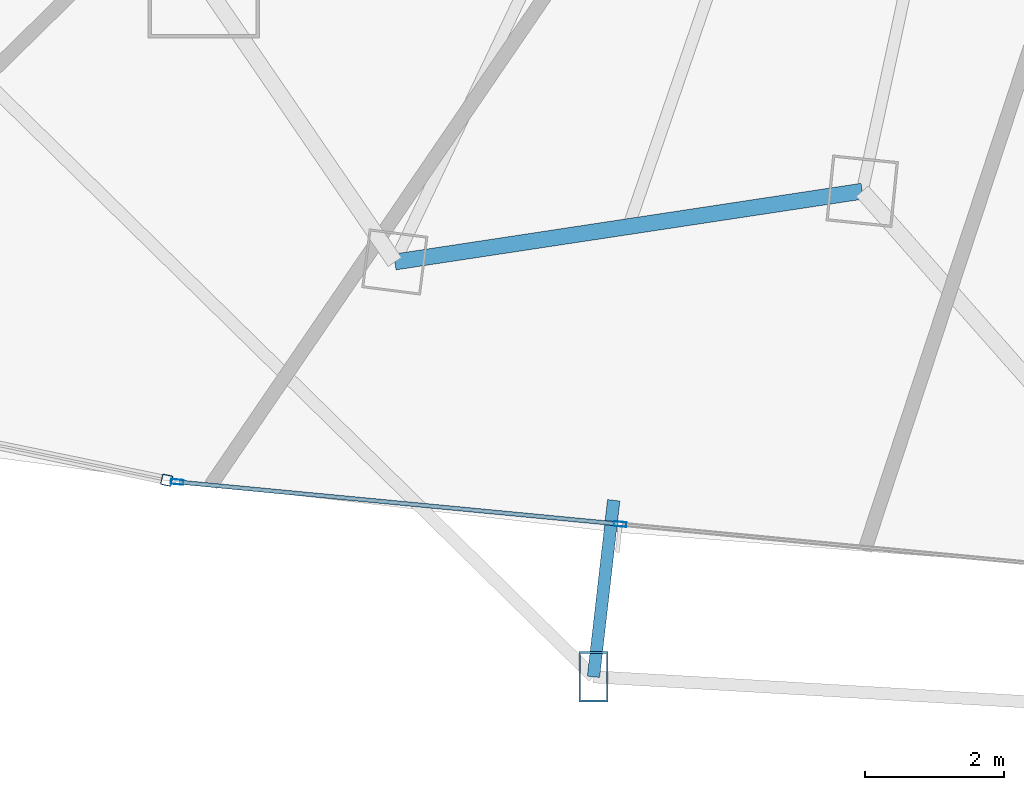
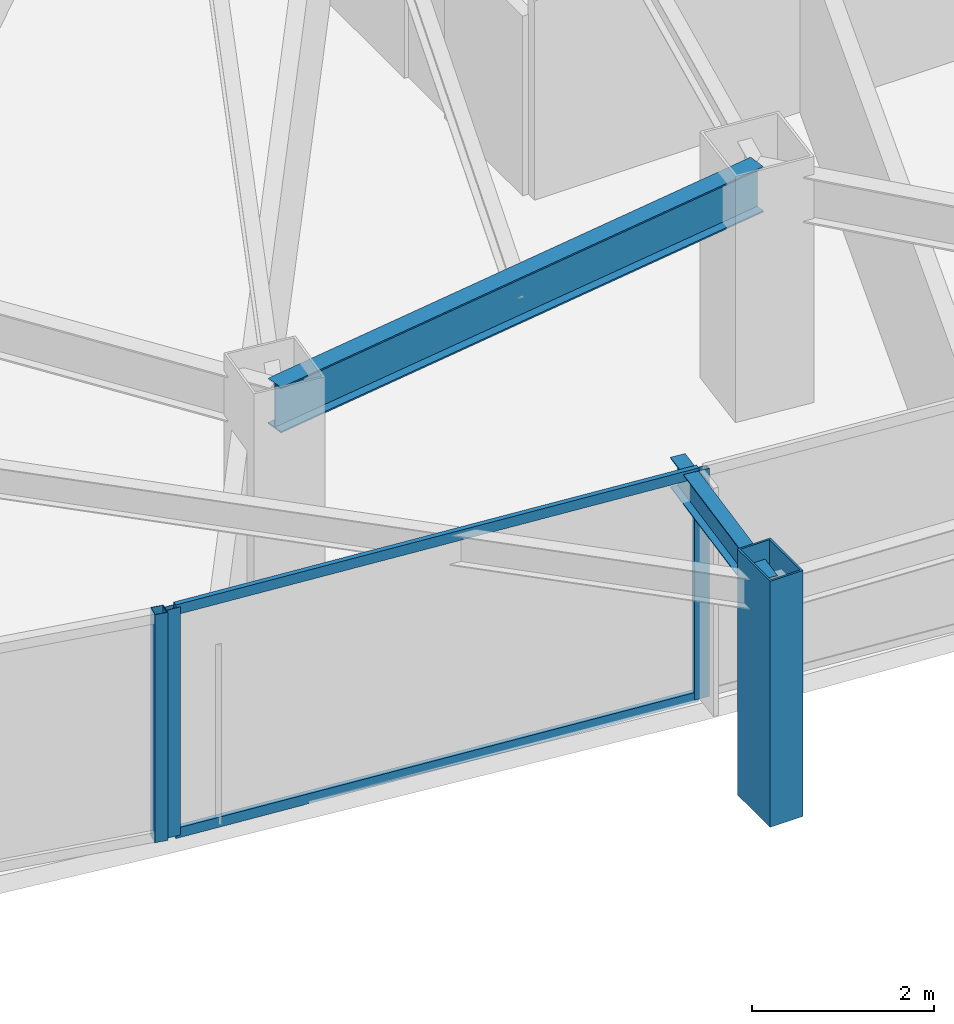
# One storey, part 4 of 34: 6 members, 2 beams, 2 elements without a shape of their own.
"""IFC4 building model written with IfcOpenShell, lengths in metres."""

from ifc_helpers import new_model, si_unit, direction, frame, origin, origin_2d, place, context, subcontext, project, spatial, hollow_rectangle, i_section, extrude, material, layer, layer_set, material_profile, profile_set, type_object, element, aggregate, save


model = new_model("IFC4")

# Units and contexts
model_context = context("Model", 3, precision=1e-05, world=origin(), true_north=direction((0.0, 1.0)))
body_context = subcontext(model_context, "Body", "Model", "MODEL_VIEW")
ifc_project = project(units=[si_unit("LENGTHUNIT", "METRE"), si_unit("AREAUNIT", "SQUARE_METRE"), si_unit("VOLUMEUNIT", "CUBIC_METRE"), si_unit("PLANEANGLEUNIT", "RADIAN"), si_unit("MASSUNIT", "GRAM", prefix="KILO")], contexts=[model_context])

# Site, building, storey
site_placement = place(None, origin())
site = spatial("IfcSite", under=ifc_project, at=site_placement, CompositionType="ELEMENT")
building_placement = place(site_placement, origin())
building = spatial("IfcBuilding", under=site, at=building_placement, Name="Orvanel Arch Residences", CompositionType="ELEMENT")
storey_placement = place(building_placement, frame((0.0, 0.0, 67.550048828125)))
storey = spatial("IfcBuildingStorey", under=building, at=storey_placement, Name="L18", CompositionType="ELEMENT", Elevation=67.550048828125)

# Member
ifc_material_1 = material(Name="Structural steel AS/NZS 3678 Grade 350", Category="steel")
ifc_material_profile_1 = material_profile(ifc_material_1, hollow_rectangle(XDim=0.419921875, YDim=0.719970703125, WallThickness=0.02490234375, at=origin_2d()), Name="RHS720x420x25")
ifc_profile_set_1 = profile_set([ifc_material_profile_1], Name="Structural steel AS/NZS 3678 Grade 350")
member_type_1 = type_object("IfcMemberType", Name="CH-720RHS-EXT", PredefinedType="CHORD", material=ifc_profile_set_1)
member_1_placement = place(storey_placement, frame((19.7919921875, 0.385986328125, 0.0), z_axis=(0.0, 0.0, 1.0), x_axis=(1.0, 0.0, 0.0)))
element("IfcMember", 1, at=member_1_placement, inside=storey, type_object=member_type_1, Name="L18 Outer Perimeter Frame Post 05", PredefinedType="CHORD", context=body_context, shape_type="SweptSolid", body=[
    extrude(hollow_rectangle(XDim=0.419921875, YDim=0.719970703125, WallThickness=0.02490234375, at=origin_2d()), origin(), (0.0, 0.0, 1.0), 3.300048828125),
])

# Curtain wall, member
ifc_material_2 = material(Name="Bronze-anodised aluminium AA6063-T6", Category="aluminium")
ifc_layer_1 = layer(ifc_material_2, 0.18994140625)
ifc_layer_set_1 = layer_set([ifc_layer_1], Name="Bronze-anodised aluminium AA6063-T6")
curtain_wall_type_1 = type_object("IfcCurtainWallType", Name="CW5-CRN-SYS", PredefinedType="NOTDEFINED", material=ifc_layer_set_1)
curtain_wall_1_placement = place(storey_placement, origin())
curtain_wall_1 = element("IfcCurtainWall", 2, at=curtain_wall_1_placement, inside=storey, type_object=curtain_wall_type_1, Name="L18 CW5-CRN-SYS Unitised Curtain Wall", PredefinedType="NOTDEFINED")
ifc_material_profile_2 = material_profile(ifc_material_2, hollow_rectangle(XDim=0.14990234375, YDim=0.14990234375, WallThickness=0.0048828125, at=origin_2d()), Name="ALU150x150x5")
ifc_profile_set_2 = profile_set([ifc_material_profile_2], Name="Bronze-anodised aluminium AA6063-T6")
member_type_2 = type_object("IfcMemberType", Name="MUL-150x150", PredefinedType="MULLION", material=ifc_profile_set_2)
member_2_placement = place(storey_placement, frame((13.66748046875, 3.207275390625, 0.0), z_axis=(0.0, 0.0, 1.0), x_axis=(0.202301523353, 0.979323283522, 0.0)))
member_2 = element("IfcMember", 3, at=member_2_placement, type_object=member_type_2, Name="CW-S5 mullion 3", PredefinedType="MULLION", context=body_context, shape_type="SweptSolid", body=[
    extrude(hollow_rectangle(XDim=0.14990234375, YDim=0.14990234375, WallThickness=0.0048828125, at=origin_2d()), origin(), (0.0, 0.0, 1.0), 3.06005859375),
])
aggregate(curtain_wall_1, [member_2])

# Curtain wall, members
ifc_layer_2 = layer(ifc_material_2, 0.179931640625)
ifc_layer_set_2 = layer_set([ifc_layer_2], Name="Bronze-anodised aluminium AA6063-T6")
curtain_wall_type_2 = type_object("IfcCurtainWallType", Name="CW2-LOW-SYS", PredefinedType="NOTDEFINED", material=ifc_layer_set_2)
curtain_wall_2_placement = place(storey_placement, origin())
curtain_wall_2 = element("IfcCurtainWall", 4, at=curtain_wall_2_placement, inside=storey, type_object=curtain_wall_type_2, Name="L18 CW2-LOW-SYS Unitised Curtain Wall", PredefinedType="NOTDEFINED")
ifc_material_profile_3 = material_profile(ifc_material_2, hollow_rectangle(XDim=0.070068359375, YDim=0.179931640625, WallThickness=0.00439453125, at=origin_2d()), Name="ALU180x70x4.5")
ifc_profile_set_3 = profile_set([ifc_material_profile_3], Name="Bronze-anodised aluminium AA6063-T6")
member_type_3 = type_object("IfcMemberType", Name="MUL-180x70", PredefinedType="MULLION", material=ifc_profile_set_3)
member_3_placement = place(storey_placement, frame((13.81591796875, 3.1826171875, 0.0), z_axis=(0.0, 0.0, 1.0), x_axis=(0.094831137816, 0.995493372806, 0.0)))
member_3 = element("IfcMember", 5, at=member_3_placement, type_object=member_type_3, Name="CW-S2 mullion 1", PredefinedType="MULLION", context=body_context, shape_type="SweptSolid", body=[
    extrude(hollow_rectangle(XDim=0.070068359375, YDim=0.179931640625, WallThickness=0.00439453125, at=origin_2d()), origin(), (0.0, 0.0, 1.0), 3.06005859375),
])
member_4_placement = place(storey_placement, frame((20.174072265625, 2.576904296875, 0.0), z_axis=(0.0, 0.0, 1.0), x_axis=(0.094831137816, 0.995493372806, 0.0)))
member_4 = element("IfcMember", 6, at=member_4_placement, type_object=member_type_3, Name="CW-S2 mullion 2", PredefinedType="MULLION", context=body_context, shape_type="SweptSolid", body=[
    extrude(hollow_rectangle(XDim=0.070068359375, YDim=0.179931640625, WallThickness=0.00439453125, at=origin_2d()), origin(), (0.0, 0.0, 1.0), 3.06005859375),
])

# Beams
ifc_material_3 = material(Name="Structural steel AS/NZS 3679.1 Grade 300 (300 MPa)", Category="steel")
ifc_material_profile_4 = material_profile(ifc_material_3, i_section(OverallWidth=0.177978515625, OverallDepth=0.406005859375, WebThickness=0.0078125, FlangeThickness=0.0126953125, at=origin_2d()), Name="410UB59.7")
ifc_profile_set_4 = profile_set([ifc_material_profile_4], Name="Structural steel AS/NZS 3679.1 Grade 300 (300 MPa)")
beam_type_1 = type_object("IfcBeamType", Name="OB-410UB-EXT", PredefinedType="SPANDREL", material=ifc_profile_set_4)
beam_1_placement = place(storey_placement, frame((20.08203125, 2.9189453125, 2.85693359375), z_axis=(-0.113762646049, -0.99350795687, 0.0), x_axis=(0.99350795687, -0.113762646049, 0.0)))
element("IfcBeam", 7, at=beam_1_placement, inside=storey, type_object=beam_type_1, Name="L18 Outer Frame Radial Tie Beam 05", PredefinedType="SPANDREL", context=body_context, shape_type="SweptSolid", body=[
    extrude(i_section(OverallWidth=0.177978515625, OverallDepth=0.406005859375, WebThickness=0.0078125, FlangeThickness=0.0126953125, at=origin_2d()), origin(), (0.0, 0.0, 1.0), 2.549560546875),
])
ifc_material_profile_5 = material_profile(ifc_material_3, i_section(OverallWidth=0.22900390625, OverallDepth=0.612060546875, WebThickness=0.011962890625, FlangeThickness=0.01953125, at=origin_2d()), Name="610UB125")
ifc_profile_set_5 = profile_set([ifc_material_profile_5], Name="Structural steel AS/NZS 3679.1 Grade 300 (300 MPa)")
beam_type_2 = type_object("IfcBeamType", Name="SP-610UB", PredefinedType="SPANDREL", material=ifc_profile_set_5)
beam_2_placement = place(storey_placement, frame((16.94091796875, 6.339111328125, 2.75390625), z_axis=(0.988726323014, 0.149733958002, 0.0), x_axis=(-0.149733958002, 0.988726323014, 0.0)))
element("IfcBeam", 8, at=beam_2_placement, inside=storey, type_object=beam_type_2, Name="L18 Perimeter Spandrel Beam 04", PredefinedType="SPANDREL", context=body_context, shape_type="SweptSolid", body=[
    extrude(i_section(OverallWidth=0.22900390625, OverallDepth=0.612060546875, WebThickness=0.011962890625, FlangeThickness=0.01953125, at=origin_2d()), origin(), (0.0, 0.0, 1.0), 6.784423828125),
])

# Member
ifc_material_profile_6 = material_profile(ifc_material_2, hollow_rectangle(XDim=0.06005859375, YDim=0.135009765625, WallThickness=0.00390625, at=origin_2d()), Name="ALU135x60x4")
ifc_profile_set_6 = profile_set([ifc_material_profile_6], Name="Bronze-anodised aluminium AA6063-T6")
member_type_4 = type_object("IfcMemberType", Name="TRN-135x60", PredefinedType="USERDEFINED", material=ifc_profile_set_6)
member_5_placement = place(storey_placement, frame((13.8505859375, 3.179443359375, 0.030029296875), z_axis=(0.995492345482, -0.09484192157, 0.0), x_axis=(0.09484192157, 0.995492345482, 0.0)))
member_5 = element("IfcMember", 9, at=member_5_placement, type_object=member_type_4, Name="CW-S2 transom 1.1", ObjectType="TRANSOM", PredefinedType="USERDEFINED", context=body_context, shape_type="SweptSolid", body=[
    extrude(hollow_rectangle(XDim=0.06005859375, YDim=0.135009765625, WallThickness=0.00390625, at=origin_2d()), origin(), (0.0, 0.0, 1.0), 6.317138671875),
])

member_6_placement = place(storey_placement, frame((13.8505859375, 3.179443359375, 3.030029296875), z_axis=(0.995492345482, -0.09484192157, 0.0), x_axis=(0.09484192157, 0.995492345482, 0.0)))
member_6 = element("IfcMember", 10, at=member_6_placement, type_object=member_type_4, Name="CW-S2 transom 1.2", ObjectType="TRANSOM", PredefinedType="USERDEFINED", context=body_context, shape_type="SweptSolid", body=[
    extrude(hollow_rectangle(XDim=0.06005859375, YDim=0.135009765625, WallThickness=0.00390625, at=origin_2d()), origin(), (0.0, 0.0, 1.0), 6.317138671875),
])

aggregate(curtain_wall_2, [member_3, member_4, member_5, member_6])

save(model, "model.ifc")
